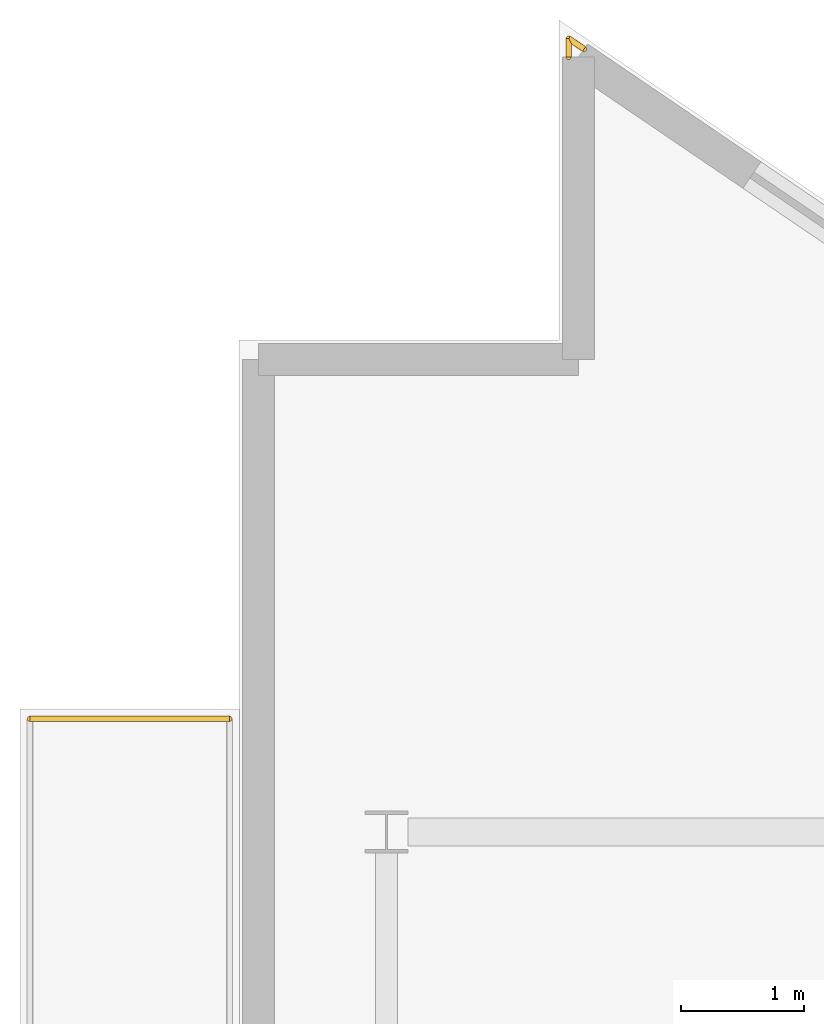
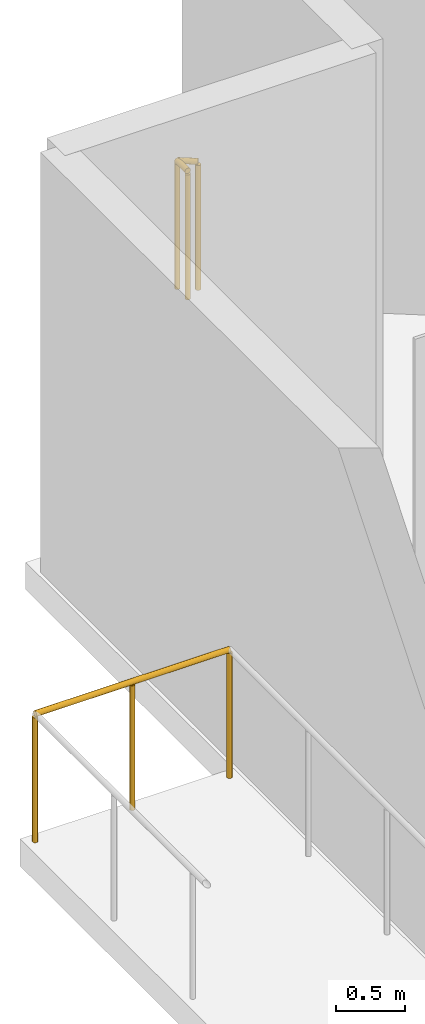
# One storey, part 20 of 21: 3 railings.
"""IFC4 building model written with IfcOpenShell, lengths in metres."""

import ifcopenshell
import ifcopenshell.guid

model = None  # the IFC model being written
_history = None  # IfcOwnerHistory: only IFC2X3 demands one
_inside = {}  # id of a spatial element -> (the spatial element, [elements in it])
_under = {}  # id of a project, library or spatial element -> (it, [spatial elements below it])
_declared = {}  # id of a project -> (the project, [libraries it declares])
_typed = {}  # id of a type object -> (the type object, [elements of that type])
_made_of = {}  # id of a material, layer set ... -> (it, [elements and type objects made of it])


def new_model(schema):
    """Start an empty IFC model of exactly this schema.

    Asked for "IFC4X3", IfcOpenShell would pick the latest addendum, in which some entities
    have other attributes; the version numbers below select the first issue.
    IFC2X3 requires an IfcOwnerHistory on every rooted entity: one is made here for all.
    """
    global model, _history
    if schema == "IFC4X3":
        model = ifcopenshell.file(schema_version=(4, 3, 0, 0))
    else:
        model = ifcopenshell.file(schema=schema)
    _inside.clear()
    _under.clear()
    _declared.clear()
    _typed.clear()
    _made_of.clear()
    _history = None
    if model.schema == "IFC2X3":
        org = make("IfcOrganization", Name="unknown")
        user = make(
            "IfcPersonAndOrganization",
            ThePerson=make("IfcPerson", FamilyName="unknown"),
            TheOrganization=org,
        )
        app = make(
            "IfcApplication",
            ApplicationDeveloper=org,
            Version="unknown",
            ApplicationFullName="unknown",
            ApplicationIdentifier="unknown",
        )
        _history = make(
            "IfcOwnerHistory",
            OwningUser=user,
            OwningApplication=app,
            ChangeAction="ADDED",
            CreationDate=0,
        )
    return model


def make(cls, **values):
    """One entity of the class cls with the attributes given. An attribute that is None is left unset."""
    return model.create_entity(
        cls, **{name: value for name, value in values.items() if value is not None}
    )


def rooted(cls, **values):
    """An entity with a GlobalId (a new one), such as an element, a storey or a relation."""
    return make(cls, GlobalId=ifcopenshell.guid.new(), OwnerHistory=_history, **values)


def si_unit(unit_type, name, prefix=None):
    """IfcSIUnit, for example si_unit("LENGTHUNIT", "METRE", prefix="MILLI")."""
    return make("IfcSIUnit", UnitType=unit_type, Prefix=prefix, Name=name)


def assignment(units):
    """IfcUnitAssignment: the units of a project."""
    return None if units is None else make("IfcUnitAssignment", Units=units)


def point(xyz):
    """IfcCartesianPoint."""
    return None if xyz is None else make("IfcCartesianPoint", Coordinates=xyz)


def direction(xyz):
    """IfcDirection."""
    return None if xyz is None else make("IfcDirection", DirectionRatios=xyz)


def frame(location, z_axis=None, x_axis=None):
    """IfcAxis2Placement3D, a coordinate frame: its origin and axes. An axis left out is left unset."""
    return make(
        "IfcAxis2Placement3D",
        Location=point(location),
        Axis=direction(z_axis),
        RefDirection=direction(x_axis),
    )


def frame_2d(location, x_axis=None):
    """IfcAxis2Placement2D, a coordinate frame in the plane: its origin and x axis."""
    return make(
        "IfcAxis2Placement2D", Location=point(location), RefDirection=direction(x_axis)
    )


def origin():
    """The frame at (0, 0, 0) with its axes left unset."""
    return frame((0.0, 0.0, 0.0))


def origin_2d():
    """The frame at (0, 0) in the plane with its x axis left unset."""
    return frame_2d((0.0, 0.0))


def place(relative_to, where):
    """IfcLocalPlacement: puts the frame where relative to a parent placement (None: the world)."""
    return make(
        "IfcLocalPlacement", PlacementRelTo=relative_to, RelativePlacement=where
    )


def context(
    kind, dimensions, precision=None, world=None, true_north=None, identifier=None
):
    """IfcGeometricRepresentationContext, for example the 3D "Model" context."""
    return make(
        "IfcGeometricRepresentationContext",
        ContextIdentifier=identifier,
        ContextType=kind,
        CoordinateSpaceDimension=dimensions,
        Precision=precision,
        WorldCoordinateSystem=world,
        TrueNorth=true_north,
    )


def subcontext(parent, identifier, kind, view, scale=None):
    """IfcGeometricRepresentationSubContext, for example "Body" below "Model"."""
    return make(
        "IfcGeometricRepresentationSubContext",
        ContextIdentifier=identifier,
        ContextType=kind,
        ParentContext=parent,
        TargetScale=scale,
        TargetView=view,
    )


def project(units=None, contexts=None):
    """IfcProject with its units and contexts."""
    return rooted(
        "IfcProject",
        Name="project",
        RepresentationContexts=contexts,
        UnitsInContext=assignment(units),
    )


def spatial(cls, under=None, at=None, **own):
    """A site, building, storey or space (cls), placed at a placement, below another one or the project."""
    s = rooted(cls, ObjectPlacement=at, **own)
    if under is not None:
        _under.setdefault(under.id(), (under, []))[1].append(s)
    return s


def profile(cls, at=None, kind="AREA", **sizes):
    """A parametric profile (cls). Its sizes go by their IFC names, for example OverallWidth=200.0."""
    return make(cls, ProfileType=kind, Position=at, **sizes)


def circle(**sizes):
    """IfcCircleProfileDef."""
    return profile("IfcCircleProfileDef", **sizes)


def extrude(swept, where, along, depth):
    """IfcExtrudedAreaSolid: the profile swept, set in the frame where, extruded along a direction by depth."""
    return make(
        "IfcExtrudedAreaSolid",
        SweptArea=swept,
        Position=where,
        ExtrudedDirection=direction(along),
        Depth=depth,
    )


def shape(context_of_items, identifier, shape_type, items):
    """IfcShapeRepresentation: the items that make up one representation, for example the "Body"."""
    return make(
        "IfcShapeRepresentation",
        ContextOfItems=context_of_items,
        RepresentationIdentifier=identifier,
        RepresentationType=shape_type,
        Items=items,
    )


def material(Name=None, Category=None):
    """IfcMaterial."""
    return make("IfcMaterial", Name=Name, Category=Category)


def made_of(thing, what):
    """Note that an element or type object is made of a material, layer set ...; save() writes the relation."""
    if what is not None:
        _made_of.setdefault(what.id(), (what, []))[1].append(thing)
    return thing


def type_object(cls, material=None, **own):
    """A type object (cls), such as IfcWallType, which elements share."""
    return made_of(rooted(cls, **own), material)


def element(
    cls,
    number,
    at=None,
    inside=None,
    cuts=None,
    type_object=None,
    material=None,
    context=None,
    identifier="Body",
    shape_type=None,
    held_by="IfcProductDefinitionShape",
    body=None,
    shapes=None,
    **own,
):
    """One element of the class cls, such as IfcWall. Its Tag is "e" and its number.

    at: its placement. inside: the storey or other place that contains it. cuts: it is an
    opening in that element (IfcRelVoidsElement). A single representation is given by context,
    identifier, shape_type and body (its items); several are given by shapes. held_by: the class
    of the entity that holds the representations. save() writes the other relations.
    """
    e = rooted(cls, Tag="e%d" % number, ObjectPlacement=at, **own)
    if body is not None:
        shapes = [shape(context, identifier, shape_type, body)]
    if shapes is not None:
        e.Representation = make(held_by, Representations=shapes)
    if inside is not None:
        _inside.setdefault(inside.id(), (inside, []))[1].append(e)
    if cuts is not None:
        rooted(
            "IfcRelVoidsElement", RelatingBuildingElement=cuts, RelatedOpeningElement=e
        )
    if type_object is not None:
        _typed.setdefault(type_object.id(), (type_object, []))[1].append(e)
    return made_of(e, material)


def aggregate(whole, parts):
    """IfcRelAggregates: a whole, such as a stair, and the parts it consists of."""
    return rooted("IfcRelAggregates", RelatingObject=whole, RelatedObjects=parts)


def save(model, path):
    """Write the relations noted so far, then the file.

    IfcRelAggregates (storeys below a building ...), IfcRelContainedInSpatialStructure (elements
    in a storey), IfcRelDefinesByType, IfcRelAssociatesMaterial and IfcRelDeclares: one each for
    every whole, place, type object, material and project.
    """
    for whole, parts in _under.values():
        aggregate(whole, parts)
    for where, things in _inside.values():
        rooted(
            "IfcRelContainedInSpatialStructure",
            RelatedElements=things,
            RelatingStructure=where,
        )
    for kind, things in _typed.values():
        rooted("IfcRelDefinesByType", RelatedObjects=things, RelatingType=kind)
    for what, things in _made_of.values():
        rooted("IfcRelAssociatesMaterial", RelatedObjects=things, RelatingMaterial=what)
    for by, libraries in _declared.values():
        rooted("IfcRelDeclares", RelatingContext=by, RelatedDefinitions=libraries)
    model.write(path)


model = new_model("IFC4")

# Units and contexts
model_context = context("Model", 3, precision=1e-05, world=origin(), true_north=direction((0.0, 1.0)))
body_context = subcontext(model_context, "Body", "Model", "MODEL_VIEW")
ifc_project = project(units=[si_unit("LENGTHUNIT", "METRE"), si_unit("AREAUNIT", "SQUARE_METRE"), si_unit("VOLUMEUNIT", "CUBIC_METRE"), si_unit("PLANEANGLEUNIT", "RADIAN"), si_unit("MASSUNIT", "GRAM", prefix="KILO")], contexts=[model_context])

# Site, building, storey
site_placement = place(None, origin())
site = spatial("IfcSite", under=ifc_project, at=site_placement, CompositionType="ELEMENT")
building_placement = place(site_placement, origin())
building = spatial("IfcBuilding", under=site, at=building_placement, Name="Varnakote Quay Hospital", CompositionType="ELEMENT")
storey_placement = place(building_placement, frame((0.0, 0.0, 42.25)))
storey = spatial("IfcBuildingStorey", under=building, at=storey_placement, Name="L10", CompositionType="ELEMENT", Elevation=42.25)

# Railings
ifc_material = material(Name="Anodised aluminium 6063-T6 Bronze", Category="aluminium")
railing_type = type_object("IfcRailingType", Name="RLG-EXT-GUARD-1150", PredefinedType="GUARDRAIL", material=ifc_material)
railing_1_placement = place(storey_placement, frame((-1.699951171875, 38.1201171875, 0.0)))
element("IfcRailing", 1, at=railing_1_placement, inside=storey, type_object=railing_type, Name="L10 Zigzag Prow Healing Terrace Safety Guard", PredefinedType="GUARDRAIL", context=body_context, shape_type="SweptSolid", body=[
    extrude(circle(Radius=0.02392578125, at=origin_2d()), frame((0.0, 0.0, 1.1259765625), z_axis=(1.0, 0.0, 0.0), x_axis=(0.0, 1.0, 0.0)), (0.0, 0.0, 1.0), 1.6240234375),
    extrude(circle(Radius=0.02099609375, at=origin_2d()), origin(), (0.0, 0.0, 1.0), 1.101806640625),
    extrude(circle(Radius=0.02099609375, at=origin_2d()), frame((0.81201171875, 0.0, 0.0)), (0.0, 0.0, 1.0), 1.101806640625),
    extrude(circle(Radius=0.02099609375, at=origin_2d()), frame((1.6240234375, 0.0, 0.0)), (0.0, 0.0, 1.0), 1.101806640625),
])
railing_2_placement = place(storey_placement, frame((2.679931640625, 43.497802734375, 0.0)))
element("IfcRailing", 2, at=railing_2_placement, inside=storey, type_object=railing_type, Name="L10 Slab Edge Perimeter Safety Guard", PredefinedType="GUARDRAIL", context=body_context, shape_type="SweptSolid", body=[
    extrude(circle(Radius=0.02392578125, at=origin_2d()), frame((0.0, 0.0, 1.1259765625), z_axis=(0.0, 1.0, 0.0), x_axis=(-1.0, 0.0, 0.0)), (0.0, 0.0, 1.0), 0.151123046875),
    extrude(circle(Radius=0.02099609375, at=origin_2d()), origin(), (0.0, 0.0, 1.0), 1.101806640625),
    extrude(circle(Radius=0.02099609375, at=origin_2d()), frame((0.0, 0.151123046875, 0.0)), (0.0, 0.0, 1.0), 1.101806640625),
])
railing_3_placement = place(storey_placement, frame((2.679931640625, 43.64892578125, 0.0)))
element("IfcRailing", 3, at=railing_3_placement, inside=storey, type_object=railing_type, Name="L10 Slab Edge Perimeter Safety Guard", PredefinedType="GUARDRAIL", context=body_context, shape_type="SweptSolid", body=[
    extrude(circle(Radius=0.02392578125, at=origin_2d()), frame((0.0, 0.0, 1.1259765625), z_axis=(0.827046660574, -0.562133277109, 0.0), x_axis=(0.562133277109, 0.827046660574, 0.0)), (0.0, 0.0, 1.0), 0.151123046875),
    extrude(circle(Radius=0.02099609375, at=origin_2d()), origin(), (0.0, 0.0, 1.0), 1.101806640625),
    extrude(circle(Radius=0.02099609375, at=origin_2d()), frame((0.125, -0.0849609375, 0.0)), (0.0, 0.0, 1.0), 1.101806640625),
])

save(model, "model.ifc")
